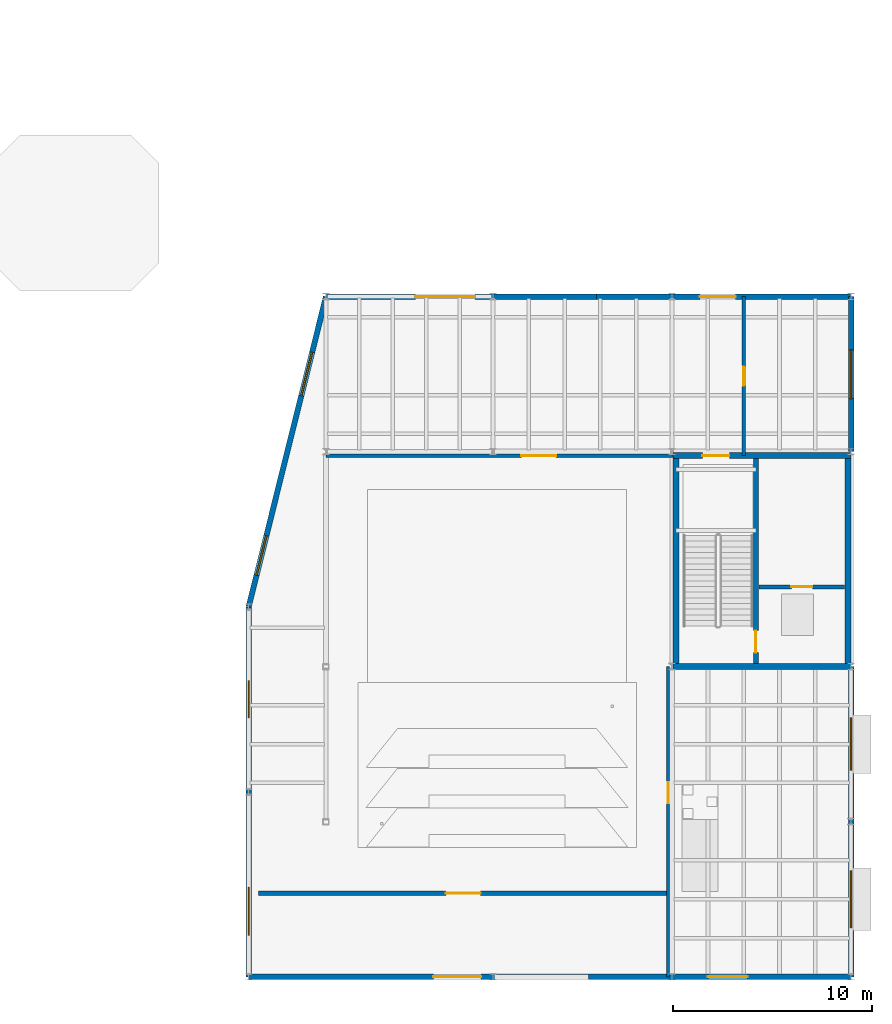
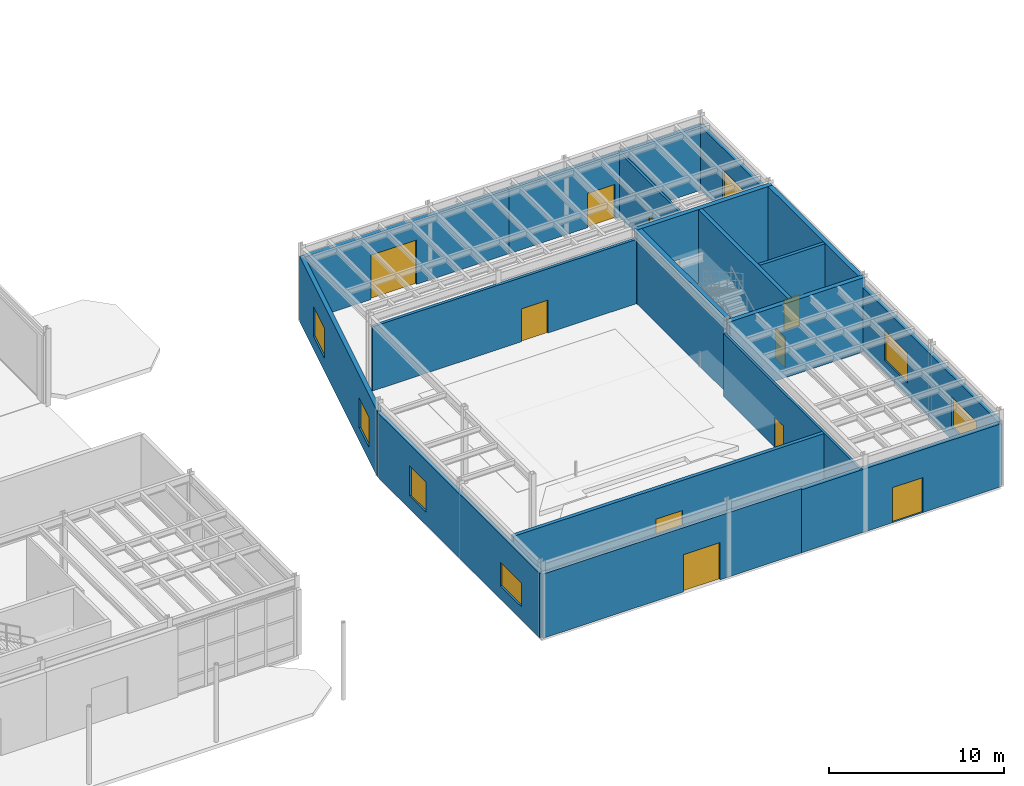
# One storey, part 69 of 87: 18 walls, 11 doors, 7 windows, 18 openings.
"""IFC4 building model written with IfcOpenShell, lengths in metres."""

import ifcopenshell
import ifcopenshell.guid

model = None  # the IFC model being written
_history = None  # IfcOwnerHistory: only IFC2X3 demands one
_inside = {}  # id of a spatial element -> (the spatial element, [elements in it])
_under = {}  # id of a project, library or spatial element -> (it, [spatial elements below it])
_declared = {}  # id of a project -> (the project, [libraries it declares])
_typed = {}  # id of a type object -> (the type object, [elements of that type])
_made_of = {}  # id of a material, layer set ... -> (it, [elements and type objects made of it])


def new_model(schema):
    """Start an empty IFC model of exactly this schema.

    Asked for "IFC4X3", IfcOpenShell would pick the latest addendum, in which some entities
    have other attributes; the version numbers below select the first issue.
    IFC2X3 requires an IfcOwnerHistory on every rooted entity: one is made here for all.
    """
    global model, _history
    if schema == "IFC4X3":
        model = ifcopenshell.file(schema_version=(4, 3, 0, 0))
    else:
        model = ifcopenshell.file(schema=schema)
    _inside.clear()
    _under.clear()
    _declared.clear()
    _typed.clear()
    _made_of.clear()
    _history = None
    if model.schema == "IFC2X3":
        org = make("IfcOrganization", Name="unknown")
        user = make(
            "IfcPersonAndOrganization",
            ThePerson=make("IfcPerson", FamilyName="unknown"),
            TheOrganization=org,
        )
        app = make(
            "IfcApplication",
            ApplicationDeveloper=org,
            Version="unknown",
            ApplicationFullName="unknown",
            ApplicationIdentifier="unknown",
        )
        _history = make(
            "IfcOwnerHistory",
            OwningUser=user,
            OwningApplication=app,
            ChangeAction="ADDED",
            CreationDate=0,
        )
    return model


def make(cls, **values):
    """One entity of the class cls with the attributes given. An attribute that is None is left unset."""
    return model.create_entity(
        cls, **{name: value for name, value in values.items() if value is not None}
    )


def rooted(cls, **values):
    """An entity with a GlobalId (a new one), such as an element, a storey or a relation."""
    return make(cls, GlobalId=ifcopenshell.guid.new(), OwnerHistory=_history, **values)


def si_unit(unit_type, name, prefix=None):
    """IfcSIUnit, for example si_unit("LENGTHUNIT", "METRE", prefix="MILLI")."""
    return make("IfcSIUnit", UnitType=unit_type, Prefix=prefix, Name=name)


def assignment(units):
    """IfcUnitAssignment: the units of a project."""
    return None if units is None else make("IfcUnitAssignment", Units=units)


def point(xyz):
    """IfcCartesianPoint."""
    return None if xyz is None else make("IfcCartesianPoint", Coordinates=xyz)


def direction(xyz):
    """IfcDirection."""
    return None if xyz is None else make("IfcDirection", DirectionRatios=xyz)


def frame(location, z_axis=None, x_axis=None):
    """IfcAxis2Placement3D, a coordinate frame: its origin and axes. An axis left out is left unset."""
    return make(
        "IfcAxis2Placement3D",
        Location=point(location),
        Axis=direction(z_axis),
        RefDirection=direction(x_axis),
    )


def frame_2d(location, x_axis=None):
    """IfcAxis2Placement2D, a coordinate frame in the plane: its origin and x axis."""
    return make(
        "IfcAxis2Placement2D", Location=point(location), RefDirection=direction(x_axis)
    )


def origin():
    """The frame at (0, 0, 0) with its axes left unset."""
    return frame((0.0, 0.0, 0.0))


def place(relative_to, where):
    """IfcLocalPlacement: puts the frame where relative to a parent placement (None: the world)."""
    return make(
        "IfcLocalPlacement", PlacementRelTo=relative_to, RelativePlacement=where
    )


def context(
    kind, dimensions, precision=None, world=None, true_north=None, identifier=None
):
    """IfcGeometricRepresentationContext, for example the 3D "Model" context."""
    return make(
        "IfcGeometricRepresentationContext",
        ContextIdentifier=identifier,
        ContextType=kind,
        CoordinateSpaceDimension=dimensions,
        Precision=precision,
        WorldCoordinateSystem=world,
        TrueNorth=true_north,
    )


def subcontext(parent, identifier, kind, view, scale=None):
    """IfcGeometricRepresentationSubContext, for example "Body" below "Model"."""
    return make(
        "IfcGeometricRepresentationSubContext",
        ContextIdentifier=identifier,
        ContextType=kind,
        ParentContext=parent,
        TargetScale=scale,
        TargetView=view,
    )


def project(units=None, contexts=None):
    """IfcProject with its units and contexts."""
    return rooted(
        "IfcProject",
        Name="project",
        RepresentationContexts=contexts,
        UnitsInContext=assignment(units),
    )


def spatial(cls, under=None, at=None, **own):
    """A site, building, storey or space (cls), placed at a placement, below another one or the project."""
    s = rooted(cls, ObjectPlacement=at, **own)
    if under is not None:
        _under.setdefault(under.id(), (under, []))[1].append(s)
    return s


def profile(cls, at=None, kind="AREA", **sizes):
    """A parametric profile (cls). Its sizes go by their IFC names, for example OverallWidth=200.0."""
    return make(cls, ProfileType=kind, Position=at, **sizes)


def rectangle(**sizes):
    """IfcRectangleProfileDef."""
    return profile("IfcRectangleProfileDef", **sizes)


def extrude(swept, where, along, depth):
    """IfcExtrudedAreaSolid: the profile swept, set in the frame where, extruded along a direction by depth."""
    return make(
        "IfcExtrudedAreaSolid",
        SweptArea=swept,
        Position=where,
        ExtrudedDirection=direction(along),
        Depth=depth,
    )


def shape(context_of_items, identifier, shape_type, items):
    """IfcShapeRepresentation: the items that make up one representation, for example the "Body"."""
    return make(
        "IfcShapeRepresentation",
        ContextOfItems=context_of_items,
        RepresentationIdentifier=identifier,
        RepresentationType=shape_type,
        Items=items,
    )


def material(Name=None, Category=None):
    """IfcMaterial."""
    return make("IfcMaterial", Name=Name, Category=Category)


def layer(
    of_material, thickness, ventilated=None, Name=None, Category=None, Priority=None
):
    """IfcMaterialLayer: one layer of a wall or slab, of a material (None: an air gap)."""
    return make(
        "IfcMaterialLayer",
        Material=of_material,
        LayerThickness=thickness,
        IsVentilated=ventilated,
        Name=Name,
        Category=Category,
        Priority=Priority,
    )


def layer_set(layers, Name=None):
    """IfcMaterialLayerSet."""
    return make("IfcMaterialLayerSet", MaterialLayers=layers, LayerSetName=Name)


def made_of(thing, what):
    """Note that an element or type object is made of a material, layer set ...; save() writes the relation."""
    if what is not None:
        _made_of.setdefault(what.id(), (what, []))[1].append(thing)
    return thing


def type_object(cls, material=None, **own):
    """A type object (cls), such as IfcWallType, which elements share."""
    return made_of(rooted(cls, **own), material)


def element(
    cls,
    number,
    at=None,
    inside=None,
    cuts=None,
    type_object=None,
    material=None,
    context=None,
    identifier="Body",
    shape_type=None,
    held_by="IfcProductDefinitionShape",
    body=None,
    shapes=None,
    **own,
):
    """One element of the class cls, such as IfcWall. Its Tag is "e" and its number.

    at: its placement. inside: the storey or other place that contains it. cuts: it is an
    opening in that element (IfcRelVoidsElement). A single representation is given by context,
    identifier, shape_type and body (its items); several are given by shapes. held_by: the class
    of the entity that holds the representations. save() writes the other relations.
    """
    e = rooted(cls, Tag="e%d" % number, ObjectPlacement=at, **own)
    if body is not None:
        shapes = [shape(context, identifier, shape_type, body)]
    if shapes is not None:
        e.Representation = make(held_by, Representations=shapes)
    if inside is not None:
        _inside.setdefault(inside.id(), (inside, []))[1].append(e)
    if cuts is not None:
        rooted(
            "IfcRelVoidsElement", RelatingBuildingElement=cuts, RelatedOpeningElement=e
        )
    if type_object is not None:
        _typed.setdefault(type_object.id(), (type_object, []))[1].append(e)
    return made_of(e, material)


def fill(opening, filler):
    """IfcRelFillsElement: the door or window that sits in an opening."""
    return rooted(
        "IfcRelFillsElement",
        RelatingOpeningElement=opening,
        RelatedBuildingElement=filler,
    )


def aggregate(whole, parts):
    """IfcRelAggregates: a whole, such as a stair, and the parts it consists of."""
    return rooted("IfcRelAggregates", RelatingObject=whole, RelatedObjects=parts)


def save(model, path):
    """Write the relations noted so far, then the file.

    IfcRelAggregates (storeys below a building ...), IfcRelContainedInSpatialStructure (elements
    in a storey), IfcRelDefinesByType, IfcRelAssociatesMaterial and IfcRelDeclares: one each for
    every whole, place, type object, material and project.
    """
    for whole, parts in _under.values():
        aggregate(whole, parts)
    for where, things in _inside.values():
        rooted(
            "IfcRelContainedInSpatialStructure",
            RelatedElements=things,
            RelatingStructure=where,
        )
    for kind, things in _typed.values():
        rooted("IfcRelDefinesByType", RelatedObjects=things, RelatingType=kind)
    for what, things in _made_of.values():
        rooted("IfcRelAssociatesMaterial", RelatedObjects=things, RelatingMaterial=what)
    for by, libraries in _declared.values():
        rooted("IfcRelDeclares", RelatingContext=by, RelatedDefinitions=libraries)
    model.write(path)


model = new_model("IFC4")

# Units and contexts
model_context = context("Model", 3, precision=1e-05, world=origin(), true_north=direction((0.0, 1.0)))
body_context = subcontext(model_context, "Body", "Model", "MODEL_VIEW")
ifc_project = project(units=[si_unit("LENGTHUNIT", "METRE"), si_unit("AREAUNIT", "SQUARE_METRE"), si_unit("VOLUMEUNIT", "CUBIC_METRE"), si_unit("PLANEANGLEUNIT", "RADIAN"), si_unit("MASSUNIT", "GRAM", prefix="KILO")], contexts=[model_context])

# Site, building, storey
site_placement = place(None, origin())
site = spatial("IfcSite", under=ifc_project, at=site_placement, CompositionType="ELEMENT")
building_placement = place(site_placement, origin())
building = spatial("IfcBuilding", under=site, at=building_placement, Name="Selat Folded Stagehouse", CompositionType="ELEMENT")
storey_placement = place(building_placement, origin())
storey = spatial("IfcBuildingStorey", under=building, at=storey_placement, Name="L00", CompositionType="ELEMENT", Elevation=0.0)

# Wall, opening, door
ifc_material_1 = material(Name="Acoustic twin-frame drywall partition", Category="gypsum")
ifc_layer_1 = layer(ifc_material_1, 0.18994140625)
ifc_layer_set_1 = layer_set([ifc_layer_1], Name="Acoustic twin-frame drywall partition")
wall_type_1 = type_object("IfcWallType", Name="WAL-ACOU-190", PredefinedType="PARTITIONING", material=ifc_layer_set_1)
wall_1_placement = place(storey_placement, frame((134.39990234375, 26.199951171875, 0.0), z_axis=(0.0, 0.0, 1.0), x_axis=(1.0, 0.0, 0.0)))
wall_1 = element("IfcWall", 1, at=wall_1_placement, inside=storey, type_object=wall_type_1, Name="L00 interior partition wall 030", PredefinedType="PARTITIONING", context=body_context, shape_type="SweptSolid", body=[
    extrude(rectangle(XDim=17.60009765625, YDim=0.18994140625, at=frame_2d((8.800048828125, 0.0))), origin(), (0.0, 0.0, 1.0), 4.48828125),
])
opening_1_placement = place(wall_1_placement, frame((9.826904296875, 0.0, 0.0)))
opening_1 = element("IfcOpeningElement", 2, at=opening_1_placement, cuts=wall_1, Name="Opening AD-03", PredefinedType="OPENING", context=body_context, shape_type="SweptSolid", body=[
    extrude(rectangle(XDim=1.75, YDim=2.300048828125, at=frame_2d((0.875, 1.14990234375))), frame((0.0, 0.10498046875, 0.0), z_axis=(0.0, -1.0, 0.0), x_axis=(1.0, 0.0, 0.0)), (0.0, 0.0, 1.0), 0.2099609375),
])
ifc_material_2 = material(Name="Studio theatre acoustic double door", Category="wood")
door_type_1 = type_object("IfcDoorType", Name="DOR-AUD-1750", OperationType="NOTDEFINED", PredefinedType="DOOR", material=ifc_material_2)
door_1_placement = place(opening_1_placement, origin())
door_1 = element("IfcDoor", 3, at=door_1_placement, inside=storey, type_object=door_type_1, Name="L00 interior door IWAL-L00-030-1", OperationType="SINGLE_SWING_LEFT", OverallHeight=2.300048828125, OverallWidth=1.75, PredefinedType="DOOR", context=body_context, shape_type="SweptSolid", body=[
    extrude(rectangle(XDim=1.75, YDim=2.300048828125, at=frame_2d((0.875, 1.14990234375))), frame((0.0, 0.02490234375, 0.0), z_axis=(0.0, -1.0, 0.0), x_axis=(1.0, 0.0, 0.0)), (0.0, 0.0, 1.0), 0.050048828125),
])
fill(opening_1, door_1)

ifc_material_3 = material(Name="Double-stud acoustic gypsum and mineral wool", Category="gypsum")
ifc_layer_2 = layer(ifc_material_3, 0.239990234375)
ifc_layer_set_2 = layer_set([ifc_layer_2], Name="Double-stud acoustic gypsum and mineral wool")
wall_type_2 = type_object("IfcWallType", Name="WAL-ACOU-240", PredefinedType="PARTITIONING", material=ifc_layer_set_2)
wall_2_placement = place(storey_placement, frame((131.0, 4.199951171875, 0.0), z_axis=(0.0, 0.0, 1.0), x_axis=(1.0, 0.0, 0.0)))
wall_2 = element("IfcWall", 4, at=wall_2_placement, inside=storey, type_object=wall_type_2, Name="L00 interior partition wall 029", PredefinedType="PARTITIONING", context=body_context, shape_type="SweptSolid", body=[
    extrude(rectangle(XDim=20.60009765625, YDim=0.239990234375, at=frame_2d((10.300048828125, 0.0))), origin(), (0.0, 0.0, 1.0), 4.402099609375),
])
opening_2_placement = place(wall_2_placement, frame((9.425048828125, 0.0, 0.0)))
opening_2 = element("IfcOpeningElement", 5, at=opening_2_placement, cuts=wall_2, Name="Opening AD-03", PredefinedType="OPENING", context=body_context, shape_type="SweptSolid", body=[
    extrude(rectangle(XDim=1.75, YDim=2.300048828125, at=frame_2d((0.875, 1.14990234375))), frame((0.0, 0.1298828125, 0.0), z_axis=(0.0, -1.0, 0.0), x_axis=(1.0, 0.0, 0.0)), (0.0, 0.0, 1.0), 0.260009765625),
])
door_2_placement = place(opening_2_placement, origin())
door_2 = element("IfcDoor", 6, at=door_2_placement, inside=storey, type_object=door_type_1, Name="L00 interior door IWAL-L00-029-1", OperationType="SINGLE_SWING_RIGHT", OverallHeight=2.300048828125, OverallWidth=1.75, PredefinedType="DOOR", context=body_context, shape_type="SweptSolid", body=[
    extrude(rectangle(XDim=1.75, YDim=2.300048828125, at=frame_2d((0.875, 1.14990234375))), frame((0.0, 0.02490234375, 0.0), z_axis=(0.0, -1.0, 0.0), x_axis=(1.0, 0.0, 0.0)), (0.0, 0.0, 1.0), 0.050048828125),
])
fill(opening_2, door_2)

ifc_material_4 = material(Name="Concrete C40/50", Category="concrete")
ifc_layer_3 = layer(ifc_material_4, 0.215087890625)
ifc_layer_set_3 = layer_set([ifc_layer_3], Name="Concrete C40/50")
wall_type_3 = type_object("IfcWallType", Name="WAL-COMP-215", PredefinedType="STANDARD", material=ifc_layer_set_3)
wall_3_placement = place(storey_placement, frame((156.179931640625, 19.60009765625, 0.0), z_axis=(0.0, 0.0, 1.0), x_axis=(1.0, 0.0, 0.0)))
wall_3 = element("IfcWall", 7, at=wall_3_placement, inside=storey, type_object=wall_type_3, Name="L00 PL-03 lift shaft front wall", PredefinedType="STANDARD", context=body_context, shape_type="SweptSolid", body=[
    extrude(rectangle(XDim=4.300048828125, YDim=0.215087890625, at=frame_2d((2.14990234375, 0.0))), origin(), (0.0, 0.0, 1.0), 5.172119140625),
])
opening_3_placement = place(wall_3_placement, frame((1.625, 0.0, 0.0)))
opening_3 = element("IfcOpeningElement", 8, at=opening_3_placement, cuts=wall_3, Name="Opening LD-03", PredefinedType="OPENING", context=body_context, shape_type="SweptSolid", body=[
    extrude(rectangle(XDim=1.050048828125, YDim=2.14990234375, at=frame_2d((0.52490234375, 1.074951171875))), frame((0.0, 0.117431640625, 0.0), z_axis=(0.0, -1.0, 0.0), x_axis=(1.0, 0.0, 0.0)), (0.0, 0.0, 1.0), 0.235107421875),
])
ifc_material_5 = material(Name="Passenger lift stainless sliding landing door", Category="wood")
door_type_2 = type_object("IfcDoorType", Name="DOR-LFT-1050", OperationType="NOTDEFINED", PredefinedType="DOOR", material=ifc_material_5)
door_3_placement = place(opening_3_placement, origin())
door_3 = element("IfcDoor", 9, at=door_3_placement, inside=storey, type_object=door_type_2, Name="L00 PL-03 lift sliding landing door", OperationType="SLIDING_TO_LEFT", OverallHeight=2.14990234375, OverallWidth=1.050048828125, PredefinedType="DOOR", context=body_context, shape_type="SweptSolid", body=[
    extrude(rectangle(XDim=1.050048828125, YDim=2.14990234375, at=frame_2d((0.52490234375, 1.074951171875))), frame((0.0, 0.02490234375, 0.0), z_axis=(0.0, -1.0, 0.0), x_axis=(1.0, 0.0, 0.0)), (0.0, 0.0, 1.0), 0.050048828125),
])
fill(opening_3, door_3)

ifc_material_6 = material(Name="Concrete C50/60", Category="concrete")
ifc_layer_4 = layer(ifc_material_6, 0.25)
ifc_layer_set_4 = layer_set([ifc_layer_4], Name="Concrete C50/60")
wall_type_4 = type_object("IfcWallType", Name="WAL-CORE-250", PredefinedType="SHEAR", material=ifc_layer_set_4)
wall_4_placement = place(storey_placement, frame((156.02001953125, 26.050048828125, 0.0), z_axis=(0.0, 0.0, 1.0), x_axis=(0.0, -1.0, 0.0)))
wall_4 = element("IfcWall", 10, at=wall_4_placement, inside=storey, type_object=wall_type_4, Name="L00 CR-4 internal core divider wall", PredefinedType="SHEAR", context=body_context, shape_type="SweptSolid", body=[
    extrude(rectangle(XDim=10.300048828125, YDim=0.25, at=frame_2d((5.14990234375, 0.0))), origin(), (0.0, 0.0, 1.0), 5.179931640625),
])
opening_4_placement = place(wall_4_placement, frame((8.64990234375, 0.0, 0.0)))
opening_4 = element("IfcOpeningElement", 11, at=opening_4_placement, cuts=wall_4, Name="Opening FD-60", PredefinedType="OPENING", context=body_context, shape_type="SweptSolid", body=[
    extrude(rectangle(XDim=1.10009765625, YDim=2.14990234375, at=frame_2d((0.550048828125, 1.074951171875))), frame((0.0, 0.135009765625, 0.0), z_axis=(0.0, -1.0, 0.0), x_axis=(1.0, 0.0, 0.0)), (0.0, 0.0, 1.0), 0.27001953125),
])
ifc_material_7 = material(Name="Fire-rated timber core door", Category="wood")
door_type_3 = type_object("IfcDoorType", Name="DOR-FIRE-60", OperationType="NOTDEFINED", PredefinedType="DOOR", material=ifc_material_7)
door_4_placement = place(opening_4_placement, origin())
door_4 = element("IfcDoor", 12, at=door_4_placement, inside=storey, type_object=door_type_3, Name="L00 CR-4 protected stair fire door", OperationType="SINGLE_SWING_LEFT", OverallHeight=2.14990234375, OverallWidth=1.10009765625, PredefinedType="DOOR", context=body_context, shape_type="SweptSolid", body=[
    extrude(rectangle(XDim=1.10009765625, YDim=2.14990234375, at=frame_2d((0.550048828125, 1.074951171875))), frame((0.0, 0.02490234375, 0.0), z_axis=(0.0, -1.0, 0.0), x_axis=(1.0, 0.0, 0.0)), (0.0, 0.0, 1.0), 0.050048828125),
])
fill(opening_4, door_4)

ifc_material_8 = material(Name="Precast concrete C40/50", Category="concrete")
ifc_layer_5 = layer(ifc_material_8, 0.27490234375)
ifc_layer_set_5 = layer_set([ifc_layer_5], Name="Precast concrete C40/50")
wall_type_5 = type_object("IfcWallType", Name="WAL-EXT-275", PredefinedType="STANDARD", material=ifc_layer_set_5)
wall_5_placement = place(storey_placement, frame((160.800048828125, 0.0, 0.0), z_axis=(0.0, 0.0, 1.0), x_axis=(-1.0, 0.0, 0.0)))
wall_5 = element("IfcWall", 13, at=wall_5_placement, inside=storey, type_object=wall_type_5, Name="L00 exterior facade wall EW-L00-V3S-1", PredefinedType="STANDARD", context=body_context, shape_type="SweptSolid", body=[
    extrude(rectangle(XDim=13.199951171875, YDim=0.27490234375, at=frame_2d((6.60009765625, 0.0))), origin(), (0.0, 0.0, 1.0), 4.402099609375),
])
opening_5_placement = place(wall_5_placement, frame((5.199951171875, 0.0, 0.0)))
opening_5 = element("IfcOpeningElement", 14, at=opening_5_placement, cuts=wall_5, Name="Opening ED-03", PredefinedType="OPENING", context=body_context, shape_type="SweptSolid", body=[
    extrude(rectangle(XDim=2.0, YDim=2.449951171875, at=frame_2d((1.0, 1.22509765625))), frame((0.0, 0.1474609375, 0.0), z_axis=(0.0, -1.0, 0.0), x_axis=(1.0, 0.0, 0.0)), (0.0, 0.0, 1.0), 0.294921875),
])
ifc_material_9 = material(Name="Powder-coated steel and laminated safety glass", Category="steel")
door_type_4 = type_object("IfcDoorType", Name="DOR-EXT-2000x2450", OperationType="NOTDEFINED", PredefinedType="DOOR", material=ifc_material_9)
door_5_placement = place(opening_5_placement, origin())
door_5 = element("IfcDoor", 15, at=door_5_placement, inside=storey, type_object=door_type_4, Name="L00 exterior door EW-L00-V3S-1-1", OperationType="SINGLE_SWING_LEFT", OverallHeight=2.449951171875, OverallWidth=2.0, PredefinedType="DOOR", context=body_context, shape_type="SweptSolid", body=[
    extrude(rectangle(XDim=2.0, YDim=2.449951171875, at=frame_2d((1.0, 1.22509765625))), frame((0.0, 0.02490234375, 0.0), z_axis=(0.0, -1.0, 0.0), x_axis=(1.0, 0.0, 0.0)), (0.0, 0.0, 1.0), 0.050048828125),
])
fill(opening_5, door_5)

wall_6_placement = place(storey_placement, frame((147.60009765625, 0.0, 0.0), z_axis=(0.0, 0.0, 1.0), x_axis=(-1.0, 0.0, 0.0)))
wall_6 = element("IfcWall", 16, at=wall_6_placement, inside=storey, type_object=wall_type_5, Name="L00 exterior facade wall EW-L00-V3S-2", PredefinedType="STANDARD", context=body_context, shape_type="SweptSolid", body=[
    extrude(rectangle(XDim=17.089599609375, YDim=0.27490234375, at=frame_2d((8.544921875, 0.0))), origin(), (0.0, 0.0, 1.0), 4.48828125),
])
opening_6_placement = place(wall_6_placement, frame((5.39990234375, 0.0, 0.0)))
opening_6 = element("IfcOpeningElement", 17, at=opening_6_placement, cuts=wall_6, Name="Opening ED-01", PredefinedType="OPENING", context=body_context, shape_type="SweptSolid", body=[
    extrude(rectangle(XDim=2.39990234375, YDim=2.60009765625, at=frame_2d((1.199951171875, 1.300048828125))), frame((0.0, 0.1474609375, 0.0), z_axis=(0.0, -1.0, 0.0), x_axis=(1.0, 0.0, 0.0)), (0.0, 0.0, 1.0), 0.294921875),
])
door_type_5 = type_object("IfcDoorType", Name="DOR-EXT-2400x2600", OperationType="NOTDEFINED", PredefinedType="DOOR", material=ifc_material_9)
door_6_placement = place(opening_6_placement, origin())
door_6 = element("IfcDoor", 18, at=door_6_placement, inside=storey, type_object=door_type_5, Name="L00 exterior door EW-L00-V3S-2-1", OperationType="DOUBLE_SWING_RIGHT", OverallHeight=2.60009765625, OverallWidth=2.39990234375, PredefinedType="DOOR", context=body_context, shape_type="SweptSolid", body=[
    extrude(rectangle(XDim=2.39990234375, YDim=2.60009765625, at=frame_2d((1.199951171875, 1.300048828125))), frame((0.0, 0.02490234375, 0.0), z_axis=(0.0, -1.0, 0.0), x_axis=(1.0, 0.0, 0.0)), (0.0, 0.0, 1.0), 0.050048828125),
])
fill(opening_6, door_6)

# Wall, openings, windows
wall_7_placement = place(storey_placement, frame((130.510498046875, 0.0, 0.0), z_axis=(0.0, 0.0, 1.0), x_axis=(0.0, 1.0, 0.0)))
wall_7 = element("IfcWall", 19, at=wall_7_placement, inside=storey, type_object=wall_type_5, Name="L00 exterior facade wall EW-L00-V3W-1", PredefinedType="STANDARD", context=body_context, shape_type="SweptSolid", body=[
    extrude(rectangle(XDim=18.60009765625, YDim=0.27490234375, at=frame_2d((9.300048828125, 0.0))), origin(), (0.0, 0.0, 1.0), 4.48828125),
])
opening_7_placement = place(wall_7_placement, frame((2.10009765625, 0.0, 0.89990234375)))
opening_7 = element("IfcOpeningElement", 20, at=opening_7_placement, cuts=wall_7, Name="Opening WN-33", PredefinedType="OPENING", context=body_context, shape_type="SweptSolid", body=[
    extrude(rectangle(XDim=2.39990234375, YDim=1.64990234375, at=frame_2d((1.199951171875, 0.824951171875))), frame((0.0, 0.1474609375, 0.0), z_axis=(0.0, -1.0, 0.0), x_axis=(1.0, 0.0, 0.0)), (0.0, 0.0, 1.0), 0.294921875),
])
opening_8_placement = place(wall_7_placement, frame((13.02490234375, 0.0, 0.89990234375)))
opening_8 = element("IfcOpeningElement", 21, at=opening_8_placement, cuts=wall_7, Name="Opening WN-20", PredefinedType="OPENING", context=body_context, shape_type="SweptSolid", body=[
    extrude(rectangle(XDim=1.85009765625, YDim=2.10009765625, at=frame_2d((0.925048828125, 1.050048828125))), frame((0.0, 0.1474609375, 0.0), z_axis=(0.0, -1.0, 0.0), x_axis=(1.0, 0.0, 0.0)), (0.0, 0.0, 1.0), 0.294921875),
])
ifc_material_10 = material(Name="Thermally broken aluminium and acoustic low-E glass", Category="aluminium")
window_type_1 = type_object("IfcWindowType", Name="WIN-OF-2400x1650", PartitioningType="SINGLE_PANEL", PredefinedType="WINDOW", material=ifc_material_10)
window_1_placement = place(opening_7_placement, origin())
window_1 = element("IfcWindow", 22, at=window_1_placement, inside=storey, type_object=window_type_1, Name="L00 exterior window EW-L00-V3W-1-1", OverallHeight=1.64990234375, OverallWidth=2.39990234375, PartitioningType="SINGLE_PANEL", PredefinedType="WINDOW", context=body_context, shape_type="SweptSolid", body=[
    extrude(rectangle(XDim=2.39990234375, YDim=1.64990234375, at=frame_2d((1.199951171875, 0.824951171875))), frame((0.0, 0.030029296875, 0.0), z_axis=(0.0, -1.0, 0.0), x_axis=(1.0, 0.0, 0.0)), (0.0, 0.0, 1.0), 0.06005859375),
])
fill(opening_7, window_1)
window_type_2 = type_object("IfcWindowType", Name="WIN-RH-1850x2100", PartitioningType="SINGLE_PANEL", PredefinedType="WINDOW", material=ifc_material_10)
window_2_placement = place(opening_8_placement, origin())
window_2 = element("IfcWindow", 23, at=window_2_placement, inside=storey, type_object=window_type_2, Name="L00 exterior window EW-L00-V3W-1-2", OverallHeight=2.10009765625, OverallWidth=1.85009765625, PartitioningType="SINGLE_PANEL", PredefinedType="WINDOW", context=body_context, shape_type="SweptSolid", body=[
    extrude(rectangle(XDim=1.85009765625, YDim=2.10009765625, at=frame_2d((0.925048828125, 1.050048828125))), frame((0.0, 0.030029296875, 0.0), z_axis=(0.0, -1.0, 0.0), x_axis=(1.0, 0.0, 0.0)), (0.0, 0.0, 1.0), 0.06005859375),
])
fill(opening_8, window_2)

wall_8_placement = place(storey_placement, frame((130.510498046875, 18.60009765625, 0.0), z_axis=(0.0, 0.0, 1.0), x_axis=(0.241917443673, 0.970296836255, 0.0)))
wall_8 = element("IfcWall", 24, at=wall_8_placement, inside=storey, type_object=wall_type_5, Name="L00 exterior facade wall EW-L00-V3W-2", PredefinedType="STANDARD", context=body_context, shape_type="SweptSolid", body=[
    extrude(rectangle(XDim=16.077392578125, YDim=0.27490234375, at=frame_2d((8.03857421875, 0.0))), origin(), (0.0, 0.0, 1.0), 4.5546875),
])
opening_9_placement = place(wall_8_placement, frame((1.644287109375, 0.0, 0.89990234375)))
opening_9 = element("IfcOpeningElement", 25, at=opening_9_placement, cuts=wall_8, Name="Opening WN-19", PredefinedType="OPENING", context=body_context, shape_type="SweptSolid", body=[
    extrude(rectangle(XDim=2.050048828125, YDim=2.10009765625, at=frame_2d((1.02490234375, 1.050048828125))), frame((0.0, 0.1474609375, 0.0), z_axis=(0.0, -1.0, 0.0), x_axis=(1.0, 0.0, 0.0)), (0.0, 0.0, 1.0), 0.294921875),
])
opening_10_placement = place(wall_8_placement, frame((10.93310546875, 0.0, 0.89990234375)))
opening_10 = element("IfcOpeningElement", 26, at=opening_10_placement, cuts=wall_8, Name="Opening WN-18", PredefinedType="OPENING", context=body_context, shape_type="SweptSolid", body=[
    extrude(rectangle(XDim=2.25, YDim=2.10009765625, at=frame_2d((1.125, 1.050048828125))), frame((0.0, 0.1474609375, 0.0), z_axis=(0.0, -1.0, 0.0), x_axis=(1.0, 0.0, 0.0)), (0.0, 0.0, 1.0), 0.294921875),
])
window_type_3 = type_object("IfcWindowType", Name="WIN-RH-2050x2100", PartitioningType="SINGLE_PANEL", PredefinedType="WINDOW", material=ifc_material_10)
window_3_placement = place(opening_9_placement, origin())
window_3 = element("IfcWindow", 27, at=window_3_placement, inside=storey, type_object=window_type_3, Name="L00 exterior window EW-L00-V3W-2-1", OverallHeight=2.10009765625, OverallWidth=2.050048828125, PartitioningType="SINGLE_PANEL", PredefinedType="WINDOW", context=body_context, shape_type="SweptSolid", body=[
    extrude(rectangle(XDim=2.050048828125, YDim=2.10009765625, at=frame_2d((1.02490234375, 1.050048828125))), frame((0.0, 0.030029296875, 0.0), z_axis=(0.0, -1.0, 0.0), x_axis=(1.0, 0.0, 0.0)), (0.0, 0.0, 1.0), 0.06005859375),
])
fill(opening_9, window_3)
window_type_4 = type_object("IfcWindowType", Name="WIN-RH-2250x2100", PartitioningType="SINGLE_PANEL", PredefinedType="WINDOW", material=ifc_material_10)
window_4_placement = place(opening_10_placement, origin())
window_4 = element("IfcWindow", 28, at=window_4_placement, inside=storey, type_object=window_type_4, Name="L00 exterior window EW-L00-V3W-2-2", OverallHeight=2.10009765625, OverallWidth=2.25, PartitioningType="SINGLE_PANEL", PredefinedType="WINDOW", context=body_context, shape_type="SweptSolid", body=[
    extrude(rectangle(XDim=2.25, YDim=2.10009765625, at=frame_2d((1.125, 1.050048828125))), frame((0.0, 0.030029296875, 0.0), z_axis=(0.0, -1.0, 0.0), x_axis=(1.0, 0.0, 0.0)), (0.0, 0.0, 1.0), 0.06005859375),
])
fill(opening_10, window_4)

# Wall, opening, door
wall_9_placement = place(storey_placement, frame((134.39990234375, 34.199951171875, 0.0), z_axis=(0.0, 0.0, 1.0), x_axis=(1.0, 0.0, 0.0)))
wall_9 = element("IfcWall", 29, at=wall_9_placement, inside=storey, type_object=wall_type_5, Name="L00 exterior facade wall EW-L00-V3N-1", PredefinedType="STANDARD", context=body_context, shape_type="SweptSolid", body=[
    extrude(rectangle(XDim=13.60009765625, YDim=0.27490234375, at=frame_2d((6.800048828125, 0.0))), origin(), (0.0, 0.0, 1.0), 4.48828125),
])
opening_11_placement = place(wall_9_placement, frame((4.5, 0.0, 0.0)))
opening_11 = element("IfcOpeningElement", 30, at=opening_11_placement, cuts=wall_9, Name="Opening RS-04", PredefinedType="OPENING", context=body_context, shape_type="SweptSolid", body=[
    extrude(rectangle(XDim=3.0, YDim=3.10009765625, at=frame_2d((1.5, 1.550048828125))), frame((0.0, 0.1474609375, 0.0), z_axis=(0.0, -1.0, 0.0), x_axis=(1.0, 0.0, 0.0)), (0.0, 0.0, 1.0), 0.294921875),
])
ifc_material_11 = material(Name="Galvanised acoustic steel", Category="steel")
door_type_6 = type_object("IfcDoorType", Name="GAT-SCN-3000x3100", OperationType="NOTDEFINED", PredefinedType="GATE", material=ifc_material_11)
door_7_placement = place(opening_11_placement, origin())
door_7 = element("IfcDoor", 31, at=door_7_placement, inside=storey, type_object=door_type_6, Name="L00 exterior door EW-L00-V3N-1-1", OperationType="ROLLINGUP", OverallHeight=3.10009765625, OverallWidth=3.0, PredefinedType="GATE", context=body_context, shape_type="SweptSolid", body=[
    extrude(rectangle(XDim=3.0, YDim=3.10009765625, at=frame_2d((1.5, 1.550048828125))), frame((0.0, 0.02490234375, 0.0), z_axis=(0.0, -1.0, 0.0), x_axis=(1.0, 0.0, 0.0)), (0.0, 0.0, 1.0), 0.050048828125),
])
fill(opening_11, door_7)

wall_10_placement = place(storey_placement, frame((148.0, 34.199951171875, 0.0), z_axis=(0.0, 0.0, 1.0), x_axis=(1.0, 0.0, 0.0)))
wall_10 = element("IfcWall", 32, at=wall_10_placement, inside=storey, type_object=wall_type_5, Name="L00 exterior facade wall EW-L00-V3N-2", PredefinedType="STANDARD", context=body_context, shape_type="SweptSolid", body=[
    extrude(rectangle(XDim=12.800048828125, YDim=0.27490234375, at=frame_2d((6.39990234375, 0.0))), origin(), (0.0, 0.0, 1.0), 4.48828125),
])
opening_12_placement = place(wall_10_placement, frame((5.199951171875, 0.0, 0.0)))
opening_12 = element("IfcOpeningElement", 33, at=opening_12_placement, cuts=wall_10, Name="Opening ED-04", PredefinedType="OPENING", context=body_context, shape_type="SweptSolid", body=[
    extrude(rectangle(XDim=1.800048828125, YDim=2.39990234375, at=frame_2d((0.89990234375, 1.199951171875))), frame((0.0, 0.1474609375, 0.0), z_axis=(0.0, -1.0, 0.0), x_axis=(1.0, 0.0, 0.0)), (0.0, 0.0, 1.0), 0.294921875),
])
door_type_7 = type_object("IfcDoorType", Name="DOR-EXT-1800x2400", OperationType="NOTDEFINED", PredefinedType="DOOR", material=ifc_material_9)
door_8_placement = place(opening_12_placement, origin())
door_8 = element("IfcDoor", 34, at=door_8_placement, inside=storey, type_object=door_type_7, Name="L00 exterior door EW-L00-V3N-2-1", OperationType="SINGLE_SWING_RIGHT", OverallHeight=2.39990234375, OverallWidth=1.800048828125, PredefinedType="DOOR", context=body_context, shape_type="SweptSolid", body=[
    extrude(rectangle(XDim=1.800048828125, YDim=2.39990234375, at=frame_2d((0.89990234375, 1.199951171875))), frame((0.0, 0.02490234375, 0.0), z_axis=(0.0, -1.0, 0.0), x_axis=(1.0, 0.0, 0.0)), (0.0, 0.0, 1.0), 0.050048828125),
])
fill(opening_12, door_8)

# Wall, opening, window
wall_11_placement = place(storey_placement, frame((160.800048828125, 34.199951171875, 0.0), z_axis=(0.0, 0.0, 1.0), x_axis=(0.0, -1.0, 0.0)))
wall_11 = element("IfcWall", 35, at=wall_11_placement, inside=storey, type_object=wall_type_5, Name="L00 exterior facade wall EW-L00-V3E-1", PredefinedType="STANDARD", context=body_context, shape_type="SweptSolid", body=[
    extrude(rectangle(XDim=7.800048828125, YDim=0.27490234375, at=frame_2d((3.89990234375, 0.0))), origin(), (0.0, 0.0, 1.0), 4.48828125),
])
opening_13_placement = place(wall_11_placement, frame((2.675048828125, 0.0, 0.89990234375)))
opening_13 = element("IfcOpeningElement", 36, at=opening_13_placement, cuts=wall_11, Name="Opening WN-17", PredefinedType="OPENING", context=body_context, shape_type="SweptSolid", body=[
    extrude(rectangle(XDim=2.449951171875, YDim=2.10009765625, at=frame_2d((1.22509765625, 1.050048828125))), frame((0.0, 0.1474609375, 0.0), z_axis=(0.0, -1.0, 0.0), x_axis=(1.0, 0.0, 0.0)), (0.0, 0.0, 1.0), 0.294921875),
])
window_type_5 = type_object("IfcWindowType", Name="WIN-RH-2450x2100", PartitioningType="SINGLE_PANEL", PredefinedType="WINDOW", material=ifc_material_10)
window_5_placement = place(opening_13_placement, origin())
window_5 = element("IfcWindow", 37, at=window_5_placement, inside=storey, type_object=window_type_5, Name="L00 exterior window EW-L00-V3E-1-1", OverallHeight=2.10009765625, OverallWidth=2.449951171875, PartitioningType="SINGLE_PANEL", PredefinedType="WINDOW", context=body_context, shape_type="SweptSolid", body=[
    extrude(rectangle(XDim=2.449951171875, YDim=2.10009765625, at=frame_2d((1.22509765625, 1.050048828125))), frame((0.0, 0.030029296875, 0.0), z_axis=(0.0, -1.0, 0.0), x_axis=(1.0, 0.0, 0.0)), (0.0, 0.0, 1.0), 0.06005859375),
])
fill(opening_13, window_5)

# Wall, openings, windows
wall_12_placement = place(storey_placement, frame((160.800048828125, 15.60009765625, 0.0), z_axis=(0.0, 0.0, 1.0), x_axis=(0.0, -1.0, 0.0)))
wall_12 = element("IfcWall", 38, at=wall_12_placement, inside=storey, type_object=wall_type_5, Name="L00 exterior facade wall EW-L00-V3E-3", PredefinedType="STANDARD", context=body_context, shape_type="SweptSolid", body=[
    extrude(rectangle(XDim=15.60009765625, YDim=0.27490234375, at=frame_2d((7.800048828125, 0.0))), origin(), (0.0, 0.0, 1.0), 4.48828125),
])
opening_14_placement = place(wall_12_placement, frame((2.574951171875, 0.0, 0.89990234375)))
opening_14 = element("IfcOpeningElement", 39, at=opening_14_placement, cuts=wall_12, Name="Opening WN-16", PredefinedType="OPENING", context=body_context, shape_type="SweptSolid", body=[
    extrude(rectangle(XDim=2.64990234375, YDim=2.10009765625, at=frame_2d((1.324951171875, 1.050048828125))), frame((0.0, 0.1474609375, 0.0), z_axis=(0.0, -1.0, 0.0), x_axis=(1.0, 0.0, 0.0)), (0.0, 0.0, 1.0), 0.294921875),
])
opening_15_placement = place(wall_12_placement, frame((10.27490234375, 0.0, 0.89990234375)))
opening_15 = element("IfcOpeningElement", 40, at=opening_15_placement, cuts=wall_12, Name="Opening WN-15", PredefinedType="OPENING", context=body_context, shape_type="SweptSolid", body=[
    extrude(rectangle(XDim=2.85009765625, YDim=2.10009765625, at=frame_2d((1.425048828125, 1.050048828125))), frame((0.0, 0.1474609375, 0.0), z_axis=(0.0, -1.0, 0.0), x_axis=(1.0, 0.0, 0.0)), (0.0, 0.0, 1.0), 0.294921875),
])
window_type_6 = type_object("IfcWindowType", Name="WIN-RH-2650x2100", PartitioningType="SINGLE_PANEL", PredefinedType="WINDOW", material=ifc_material_10)
window_6_placement = place(opening_14_placement, origin())
window_6 = element("IfcWindow", 41, at=window_6_placement, inside=storey, type_object=window_type_6, Name="L00 exterior window EW-L00-V3E-3-1", OverallHeight=2.10009765625, OverallWidth=2.64990234375, PartitioningType="SINGLE_PANEL", PredefinedType="WINDOW", context=body_context, shape_type="SweptSolid", body=[
    extrude(rectangle(XDim=2.64990234375, YDim=2.10009765625, at=frame_2d((1.324951171875, 1.050048828125))), frame((0.0, 0.030029296875, 0.0), z_axis=(0.0, -1.0, 0.0), x_axis=(1.0, 0.0, 0.0)), (0.0, 0.0, 1.0), 0.06005859375),
])
fill(opening_14, window_6)
window_type_7 = type_object("IfcWindowType", Name="WIN-RH-2850x2100", PartitioningType="SINGLE_PANEL", PredefinedType="WINDOW", material=ifc_material_10)
window_7_placement = place(opening_15_placement, origin())
window_7 = element("IfcWindow", 42, at=window_7_placement, inside=storey, type_object=window_type_7, Name="L00 exterior window EW-L00-V3E-3-2", OverallHeight=2.10009765625, OverallWidth=2.85009765625, PartitioningType="SINGLE_PANEL", PredefinedType="WINDOW", context=body_context, shape_type="SweptSolid", body=[
    extrude(rectangle(XDim=2.85009765625, YDim=2.10009765625, at=frame_2d((1.425048828125, 1.050048828125))), frame((0.0, 0.030029296875, 0.0), z_axis=(0.0, -1.0, 0.0), x_axis=(1.0, 0.0, 0.0)), (0.0, 0.0, 1.0), 0.06005859375),
])
fill(opening_15, window_7)

# Wall, opening, door
ifc_material_12 = material(Name="Fire-rated drywall stud partition", Category="gypsum")
ifc_layer_6 = layer(ifc_material_12, 0.14990234375)
ifc_layer_set_6 = layer_set([ifc_layer_6], Name="Fire-rated drywall stud partition")
wall_type_6 = type_object("IfcWallType", Name="WAL-PART-150", PredefinedType="PARTITIONING", material=ifc_layer_set_6)
wall_13_placement = place(storey_placement, frame((151.60009765625, 0.0, 0.0), z_axis=(0.0, 0.0, 1.0), x_axis=(0.0, 1.0, 0.0)))
wall_13 = element("IfcWall", 43, at=wall_13_placement, inside=storey, type_object=wall_type_6, Name="L00 interior partition wall 031", PredefinedType="PARTITIONING", context=body_context, shape_type="SweptSolid", body=[
    extrude(rectangle(XDim=15.60009765625, YDim=0.14990234375, at=frame_2d((7.800048828125, 0.0))), origin(), (0.0, 0.0, 1.0), 4.402099609375),
])
opening_16_placement = place(wall_13_placement, frame((8.72412109375, 0.0, 0.0)))
opening_16 = element("IfcOpeningElement", 44, at=opening_16_placement, cuts=wall_13, Name="Opening ID-01A", PredefinedType="OPENING", context=body_context, shape_type="SweptSolid", body=[
    extrude(rectangle(XDim=1.06005859375, YDim=2.10009765625, at=frame_2d((0.530029296875, 1.050048828125))), frame((0.0, 0.0849609375, 0.0), z_axis=(0.0, -1.0, 0.0), x_axis=(1.0, 0.0, 0.0)), (0.0, 0.0, 1.0), 0.169921875),
])
ifc_material_13 = material(Name="Star dressing suite timber door", Category="wood")
door_type_8 = type_object("IfcDoorType", Name="DOR-DRS-1060", OperationType="NOTDEFINED", PredefinedType="DOOR", material=ifc_material_13)
door_9_placement = place(opening_16_placement, origin())
door_9 = element("IfcDoor", 45, at=door_9_placement, inside=storey, type_object=door_type_8, Name="L00 interior door IWAL-L00-031-1", OperationType="SINGLE_SWING_RIGHT", OverallHeight=2.10009765625, OverallWidth=1.06005859375, PredefinedType="DOOR", context=body_context, shape_type="SweptSolid", body=[
    extrude(rectangle(XDim=1.06005859375, YDim=2.10009765625, at=frame_2d((0.530029296875, 1.050048828125))), frame((0.0, 0.02490234375, 0.0), z_axis=(0.0, -1.0, 0.0), x_axis=(1.0, 0.0, 0.0)), (0.0, 0.0, 1.0), 0.050048828125),
])
fill(opening_16, door_9)

ifc_material_14 = material(Name="Moisture-resistant sanitary service wall", Category="gypsum")
ifc_layer_7 = layer(ifc_material_14, 0.159912109375)
ifc_layer_set_7 = layer_set([ifc_layer_7], Name="Moisture-resistant sanitary service wall")
wall_type_7 = type_object("IfcWallType", Name="WAL-PLMB-160", PredefinedType="PLUMBINGWALL", material=ifc_layer_set_7)
wall_14_placement = place(storey_placement, frame((155.39990234375, 26.199951171875, 0.0), z_axis=(0.0, 0.0, 1.0), x_axis=(0.0, 1.0, 0.0)))
wall_14 = element("IfcWall", 46, at=wall_14_placement, inside=storey, type_object=wall_type_7, Name="L00 interior partition wall 032", PredefinedType="PLUMBINGWALL", context=body_context, shape_type="SweptSolid", body=[
    extrude(rectangle(XDim=8.0, YDim=0.159912109375, at=frame_2d((4.0, 0.0))), origin(), (0.0, 0.0, 1.0), 4.48828125),
])
opening_17_placement = place(wall_14_placement, frame((3.52490234375, 0.0, 0.0)))
opening_17 = element("IfcOpeningElement", 47, at=opening_17_placement, cuts=wall_14, Name="Opening ID-04", PredefinedType="OPENING", context=body_context, shape_type="SweptSolid", body=[
    extrude(rectangle(XDim=0.949951171875, YDim=2.10009765625, at=frame_2d((0.47509765625, 1.050048828125))), frame((0.0, 0.08984375, 0.0), z_axis=(0.0, -1.0, 0.0), x_axis=(1.0, 0.0, 0.0)), (0.0, 0.0, 1.0), 0.179931640625),
])
ifc_material_15 = material(Name="Accessible toilet outward-opening door", Category="wood")
door_type_9 = type_object("IfcDoorType", Name="DOR-WC-0950", OperationType="NOTDEFINED", PredefinedType="DOOR", material=ifc_material_15)
door_10_placement = place(opening_17_placement, origin())
door_10 = element("IfcDoor", 48, at=door_10_placement, inside=storey, type_object=door_type_9, Name="L00 interior door IWAL-L00-032-1", OperationType="SINGLE_SWING_LEFT", OverallHeight=2.10009765625, OverallWidth=0.949951171875, PredefinedType="DOOR", context=body_context, shape_type="SweptSolid", body=[
    extrude(rectangle(XDim=0.949951171875, YDim=2.10009765625, at=frame_2d((0.47509765625, 1.050048828125))), frame((0.0, 0.02490234375, 0.0), z_axis=(0.0, -1.0, 0.0), x_axis=(1.0, 0.0, 0.0)), (0.0, 0.0, 1.0), 0.050048828125),
])
fill(opening_17, door_10)

# Wall
ifc_layer_8 = layer(ifc_material_6, 0.300048828125)
ifc_layer_set_8 = layer_set([ifc_layer_8], Name="Concrete C50/60")
wall_type_8 = type_object("IfcWallType", Name="WAL-SW-300", PredefinedType="SHEAR", material=ifc_layer_set_8)
wall_15_placement = place(storey_placement, frame((160.800048828125, 15.60009765625, 0.0), z_axis=(0.0, 0.0, 1.0), x_axis=(-1.0, 0.0, 0.0)))
element("IfcWall", 49, at=wall_15_placement, inside=storey, type_object=wall_type_8, Name="L00 CR-4 south shear wall", PredefinedType="SHEAR", context=body_context, shape_type="SweptSolid", body=[
    extrude(rectangle(XDim=8.949951171875, YDim=0.300048828125, at=frame_2d((4.47509765625, 0.0))), origin(), (0.0, 0.0, 1.0), 5.179931640625),
])

# Wall, opening, door
wall_16_placement = place(storey_placement, frame((151.85009765625, 26.199951171875, 0.0), z_axis=(0.0, 0.0, 1.0), x_axis=(1.0, 0.0, 0.0)))
wall_16 = element("IfcWall", 50, at=wall_16_placement, inside=storey, type_object=wall_type_8, Name="L00 CR-4 north shear wall", PredefinedType="SHEAR", context=body_context, shape_type="SweptSolid", body=[
    extrude(rectangle(XDim=8.949951171875, YDim=0.300048828125, at=frame_2d((4.47509765625, 0.0))), origin(), (0.0, 0.0, 1.0), 5.179931640625),
])
opening_18_placement = place(wall_16_placement, frame((1.47509765625, 0.0, 0.0)))
opening_18 = element("IfcOpeningElement", 51, at=opening_18_placement, cuts=wall_16, Name="Opening FD-60B", PredefinedType="OPENING", context=body_context, shape_type="SweptSolid", body=[
    extrude(rectangle(XDim=1.35009765625, YDim=2.14990234375, at=frame_2d((0.675048828125, 1.074951171875))), frame((0.0, 0.159912109375, 0.0), z_axis=(0.0, -1.0, 0.0), x_axis=(1.0, 0.0, 0.0)), (0.0, 0.0, 1.0), 0.320068359375),
])
ifc_material_16 = material(Name="Protected stair escape door", Category="wood")
door_type_10 = type_object("IfcDoorType", Name="DOR-STR-1350", OperationType="NOTDEFINED", PredefinedType="DOOR", material=ifc_material_16)
door_11_placement = place(opening_18_placement, origin())
door_11 = element("IfcDoor", 52, at=door_11_placement, inside=storey, type_object=door_type_10, Name="L00 CR-4 core lobby fire door", OperationType="SINGLE_SWING_RIGHT", OverallHeight=2.14990234375, OverallWidth=1.35009765625, PredefinedType="DOOR", context=body_context, shape_type="SweptSolid", body=[
    extrude(rectangle(XDim=1.35009765625, YDim=2.14990234375, at=frame_2d((0.675048828125, 1.074951171875))), frame((0.0, 0.02490234375, 0.0), z_axis=(0.0, -1.0, 0.0), x_axis=(1.0, 0.0, 0.0)), (0.0, 0.0, 1.0), 0.050048828125),
])
fill(opening_18, door_11)

# Walls
for number, where, z_axis, x_axis, name in (
    (53, (152.0, 15.75, 0.0), (0.0, 0.0, 1.0), (0.0, 1.0, 0.0), "L00 CR-4 west shear wall"),
    (54, (160.64990234375, 26.050048828125, 0.0), (0.0, 0.0, 1.0), (0.0, -1.0, 0.0), "L00 CR-4 east shear wall"),
):
    element("IfcWall", number, at=place(storey_placement, frame(where, z_axis=z_axis, x_axis=x_axis)), inside=storey, type_object=wall_type_8, Name=name, PredefinedType="SHEAR", context=body_context, shape_type="SweptSolid", body=[
        extrude(rectangle(XDim=10.300048828125, YDim=0.300048828125, at=frame_2d((5.14990234375, 0.0))), origin(), (0.0, 0.0, 1.0), 5.179931640625),
    ])

save(model, "model.ifc")
